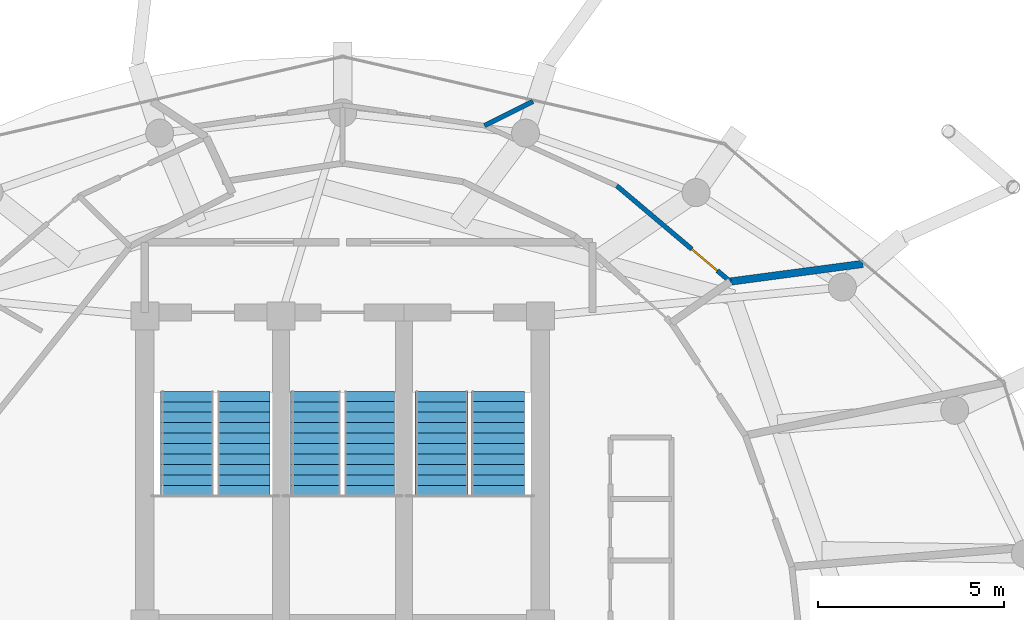
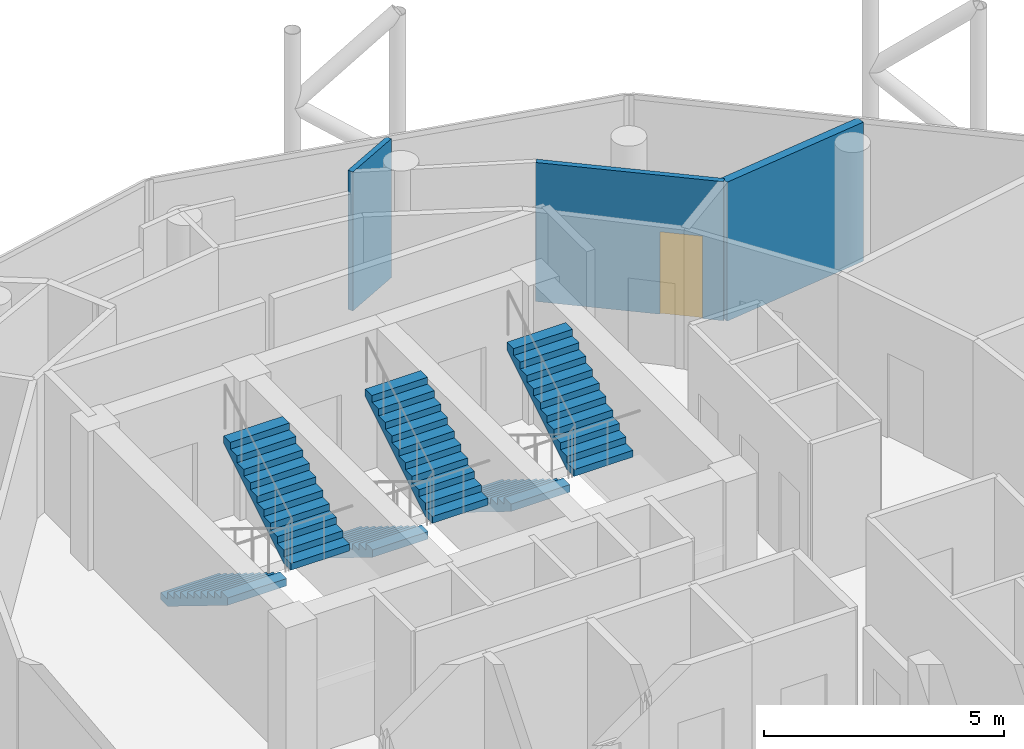
# One storey, part 24 of 25: 6 stair flights, 3 walls, 1 door, 1 opening, 3 elements without a shape of their own.
"""IFC4 building model written with IfcOpenShell, lengths in metres."""

from ifc_helpers import new_model, si_unit, direction, frame, frame_2d, origin, place, context, subcontext, project, spatial, polyline, rectangle, outline, extrude, material, layer, layer_set, type_object, element, fill, aggregate, save


model = new_model("IFC4")

# Units and contexts
model_context = context("Model", 3, precision=1e-05, world=origin(), true_north=direction((0.0, 1.0)))
body_context = subcontext(model_context, "Body", "Model", "MODEL_VIEW")
ifc_project = project(units=[si_unit("LENGTHUNIT", "METRE"), si_unit("AREAUNIT", "SQUARE_METRE"), si_unit("VOLUMEUNIT", "CUBIC_METRE"), si_unit("PLANEANGLEUNIT", "RADIAN"), si_unit("MASSUNIT", "GRAM", prefix="KILO")], contexts=[model_context])

# Site, building, storey
site_placement = place(None, origin())
site = spatial("IfcSite", under=ifc_project, at=site_placement, CompositionType="ELEMENT")
building_placement = place(site_placement, origin())
building = spatial("IfcBuilding", under=site, at=building_placement, Name="Nuhasar Tower", CompositionType="ELEMENT")
storey_placement = place(building_placement, frame((0.0, 0.0, 255.60009765625)))
storey = spatial("IfcBuildingStorey", under=building, at=storey_placement, Name="L63", CompositionType="ELEMENT", Elevation=255.60009765625)

# Wall, opening, door
ifc_material_1 = material(Name="Gypsum Board", Category="gypsum")
ifc_layer_1 = layer(ifc_material_1, 0.125)
ifc_layer_set_1 = layer_set([ifc_layer_1], Name="Gypsum Board")
wall_type_1 = type_object("IfcWallType", Name="WL-PART-125", PredefinedType="PARTITIONING", material=ifc_layer_set_1)
wall_1_placement = place(storey_placement, frame((46.35009765625, 40.794921875, 0.0), z_axis=(0.0, 0.0, 1.0), x_axis=(0.764348134159, -0.644803791713, 0.0)))
wall_1 = element("IfcWall", 1, at=wall_1_placement, inside=storey, type_object=wall_type_1, Name="L63 Interior Partition UMID-04-A-06", PredefinedType="PARTITIONING", context=body_context, shape_type="SweptSolid", body=[
    extrude(rectangle(XDim=3.982421875, YDim=0.125, at=frame_2d((1.9912109375, 0.0))), origin(), (0.0, 0.0, 1.0), 3.539794921875),
])
opening_placement = place(wall_1_placement, frame((2.6298828125, 0.0, 0.0)))
opening = element("IfcOpeningElement", 2, at=opening_placement, cuts=wall_1, Name="Opening DR-01", PredefinedType="OPENING", context=body_context, shape_type="SweptSolid", body=[
    extrude(rectangle(XDim=0.89990234375, YDim=2.10009765625, at=frame_2d((0.449951171875, 1.050048828125))), frame((0.0, 0.072509765625, 0.0), z_axis=(0.0, -1.0, 0.0), x_axis=(1.0, 0.0, 0.0)), (0.0, 0.0, 1.0), 0.14501953125),
])
ifc_material_2 = material(Name="Timber Oak", Category="wood")
door_type = type_object("IfcDoorType", Name="DR-ROOM-900", OperationType="NOTDEFINED", PredefinedType="DOOR", material=ifc_material_2)
door_placement = place(opening_placement, origin())
door = element("IfcDoor", 3, at=door_placement, inside=storey, type_object=door_type, Name="L63 U04 Living Door", OperationType="SINGLE_SWING_RIGHT", OverallHeight=2.10009765625, OverallWidth=0.89990234375, PredefinedType="DOOR", context=body_context, shape_type="SweptSolid", body=[
    extrude(rectangle(XDim=0.89990234375, YDim=2.10009765625, at=frame_2d((0.449951171875, 1.050048828125))), frame((0.0, 0.02490234375, 0.0), z_axis=(0.0, -1.0, 0.0), x_axis=(1.0, 0.0, 0.0)), (0.0, 0.0, 1.0), 0.050048828125),
])
fill(opening, door)

# Walls
wall_2_placement = place(storey_placement, frame((42.804931640625, 42.408935546875, 0.0), z_axis=(0.0, 0.0, 1.0), x_axis=(0.894796289478, 0.446474635714, 0.0)))
element("IfcWall", 4, at=wall_2_placement, inside=storey, type_object=wall_type_1, Name="L63 Interior Partition UOUT-04-B1", PredefinedType="PARTITIONING", context=body_context, shape_type="SweptSolid", body=[
    extrude(rectangle(XDim=1.4541015625, YDim=0.125, at=frame_2d((0.72705078125, 0.0))), origin(), (0.0, 0.0, 1.0), 3.539794921875),
])
ifc_material_3 = material(Name="Concrete C40/50 precast", Category="concrete")
ifc_layer_2 = layer(ifc_material_3, 0.199951171875)
ifc_layer_set_2 = layer_set([ifc_layer_2], Name="Concrete C40/50 precast")
wall_type_2 = type_object("IfcWallType", Name="WL-UNIT-200", PredefinedType="PARTITIONING", material=ifc_layer_set_2)
wall_3_placement = place(storey_placement, frame((49.39404296875, 38.22705078125, 0.0), z_axis=(0.0, 0.0, 1.0), x_axis=(0.991241562349, 0.13206121714, 0.0)))
element("IfcWall", 5, at=wall_3_placement, inside=storey, type_object=wall_type_2, Name="L63 Interior Partition URAD-06-S2", PredefinedType="PARTITIONING", context=body_context, shape_type="SweptSolid", body=[
    extrude(rectangle(XDim=3.58837890625, YDim=0.199951171875, at=frame_2d((1.794189453125, 0.0))), origin(), (0.0, 0.0, 1.0), 3.539794921875),
])

# Stair, stair flights
ifc_material_4 = material(Name="Concrete C45/55", Category="concrete")
stair_type_1 = type_object("IfcStairType", Name="STR-ST-01-2F-22R-1727", PredefinedType="HALF_TURN_STAIR", material=ifc_material_4)
stair_1_placement = place(storey_placement, origin())
stair_1 = element("IfcStair", 6, at=stair_1_placement, inside=storey, type_object=stair_type_1, Name="L63 Exit Stair ST-01", PredefinedType="HALF_TURN_STAIR")
stair_flight_type_1 = type_object("IfcStairFlightType", Name="SFL-ST-01-11R-1727", PredefinedType="STRAIGHT", material=ifc_material_4)
stair_flight_1_placement = place(storey_placement, frame((34.830078125, 35.284912109375, 0.0), z_axis=(0.0, 0.0, 1.0), x_axis=(0.0, -1.0, 0.0)))
stair_flight_1 = element("IfcStairFlight", 7, at=stair_flight_1_placement, type_object=stair_flight_type_1, Name="ST-01 flight 1", NumberOfRisers=11, NumberOfTreads=10, PredefinedType="STRAIGHT", RiserHeight=0.172727, TreadLength=0.28, context=body_context, shape_type="SweptSolid", body=[
    extrude(outline(polyline([(0.0, 0.0), (0.0, 0.172607421875), (0.280029296875, 0.172607421875), (0.280029296875, 0.345458984375), (0.56005859375, 0.345458984375), (0.56005859375, 0.51806640625), (0.840087890625, 0.51806640625), (0.840087890625, 0.69091796875), (1.1201171875, 0.69091796875), (1.1201171875, 0.863525390625), (1.39990234375, 0.863525390625), (1.39990234375, 1.036376953125), (1.679931640625, 1.036376953125), (1.679931640625, 1.208984375), (1.9599609375, 1.208984375), (1.9599609375, 1.3818359375), (2.239990234375, 1.3818359375), (2.239990234375, 1.554443359375), (2.52001953125, 1.554443359375), (2.52001953125, 1.727294921875), (2.800048828125, 1.727294921875), (2.800048828125, 1.89990234375), (2.800048828125, 1.539306640625), (0.3046875, 0.0), (0.0, 0.0)])), frame((0.0, 0.7099609375, 0.0), z_axis=(0.0, -1.0, 0.0), x_axis=(1.0, 0.0, 0.0)), (0.0, 0.0, 1.0), 1.419921875),
])
stair_flight_2_placement = place(storey_placement, frame((36.35009765625, 32.485107421875, 1.89990234375), z_axis=(0.0, 0.0, 1.0), x_axis=(0.0, 1.0, 0.0)))
stair_flight_2 = element("IfcStairFlight", 8, at=stair_flight_2_placement, type_object=stair_flight_type_1, Name="ST-01 flight 2", NumberOfRisers=11, NumberOfTreads=10, PredefinedType="STRAIGHT", RiserHeight=0.172727, TreadLength=0.28, context=body_context, shape_type="SweptSolid", body=[
    extrude(outline(polyline([(0.0, 0.0), (0.0, 0.172607421875), (0.280029296875, 0.172607421875), (0.280029296875, 0.345458984375), (0.56005859375, 0.345458984375), (0.56005859375, 0.51806640625), (0.840087890625, 0.51806640625), (0.840087890625, 0.69091796875), (1.1201171875, 0.69091796875), (1.1201171875, 0.863525390625), (1.39990234375, 0.863525390625), (1.39990234375, 1.036376953125), (1.679931640625, 1.036376953125), (1.679931640625, 1.208984375), (1.9599609375, 1.208984375), (1.9599609375, 1.3818359375), (2.239990234375, 1.3818359375), (2.239990234375, 1.554443359375), (2.52001953125, 1.554443359375), (2.52001953125, 1.727294921875), (2.800048828125, 1.727294921875), (2.800048828125, 1.89990234375), (2.800048828125, 1.539306640625), (0.3046875, 0.0), (0.0, 0.0)])), frame((0.0, 0.7099609375, 0.0), z_axis=(0.0, -1.0, 0.0), x_axis=(1.0, 0.0, 0.0)), (0.0, 0.0, 1.0), 1.419921875),
])
aggregate(stair_1, [stair_flight_1, stair_flight_2])

stair_type_2 = type_object("IfcStairType", Name="STR-ST-02-2F-22R-1727", PredefinedType="HALF_TURN_STAIR", material=ifc_material_4)
stair_2_placement = place(storey_placement, origin())
stair_2 = element("IfcStair", 9, at=stair_2_placement, inside=storey, type_object=stair_type_2, Name="L63 Exit Stair ST-02", PredefinedType="HALF_TURN_STAIR")
stair_flight_type_2 = type_object("IfcStairFlightType", Name="SFL-ST-02-11R-1727", PredefinedType="STRAIGHT", material=ifc_material_4)
stair_flight_3_placement = place(storey_placement, frame((41.64990234375, 35.284912109375, 0.0), z_axis=(0.0, 0.0, 1.0), x_axis=(0.0, -1.0, 0.0)))
stair_flight_3 = element("IfcStairFlight", 10, at=stair_flight_3_placement, type_object=stair_flight_type_2, Name="ST-02 flight 1", NumberOfRisers=11, NumberOfTreads=10, PredefinedType="STRAIGHT", RiserHeight=0.172727, TreadLength=0.28, context=body_context, shape_type="SweptSolid", body=[
    extrude(outline(polyline([(0.0, 0.0), (0.0, 0.172607421875), (0.280029296875, 0.172607421875), (0.280029296875, 0.345458984375), (0.56005859375, 0.345458984375), (0.56005859375, 0.51806640625), (0.840087890625, 0.51806640625), (0.840087890625, 0.69091796875), (1.1201171875, 0.69091796875), (1.1201171875, 0.863525390625), (1.39990234375, 0.863525390625), (1.39990234375, 1.036376953125), (1.679931640625, 1.036376953125), (1.679931640625, 1.208984375), (1.9599609375, 1.208984375), (1.9599609375, 1.3818359375), (2.239990234375, 1.3818359375), (2.239990234375, 1.554443359375), (2.52001953125, 1.554443359375), (2.52001953125, 1.727294921875), (2.800048828125, 1.727294921875), (2.800048828125, 1.89990234375), (2.800048828125, 1.539306640625), (0.3046875, 0.0), (0.0, 0.0)])), frame((0.0, 0.7099609375, 0.0), z_axis=(0.0, -1.0, 0.0), x_axis=(1.0, 0.0, 0.0)), (0.0, 0.0, 1.0), 1.419921875),
])
stair_flight_4_placement = place(storey_placement, frame((43.169921875, 32.485107421875, 1.89990234375), z_axis=(0.0, 0.0, 1.0), x_axis=(0.0, 1.0, 0.0)))
stair_flight_4 = element("IfcStairFlight", 11, at=stair_flight_4_placement, type_object=stair_flight_type_2, Name="ST-02 flight 2", NumberOfRisers=11, NumberOfTreads=10, PredefinedType="STRAIGHT", RiserHeight=0.172727, TreadLength=0.28, context=body_context, shape_type="SweptSolid", body=[
    extrude(outline(polyline([(0.0, 0.0), (0.0, 0.172607421875), (0.280029296875, 0.172607421875), (0.280029296875, 0.345458984375), (0.56005859375, 0.345458984375), (0.56005859375, 0.51806640625), (0.840087890625, 0.51806640625), (0.840087890625, 0.69091796875), (1.1201171875, 0.69091796875), (1.1201171875, 0.863525390625), (1.39990234375, 0.863525390625), (1.39990234375, 1.036376953125), (1.679931640625, 1.036376953125), (1.679931640625, 1.208984375), (1.9599609375, 1.208984375), (1.9599609375, 1.3818359375), (2.239990234375, 1.3818359375), (2.239990234375, 1.554443359375), (2.52001953125, 1.554443359375), (2.52001953125, 1.727294921875), (2.800048828125, 1.727294921875), (2.800048828125, 1.89990234375), (2.800048828125, 1.539306640625), (0.3046875, 0.0), (0.0, 0.0)])), frame((0.0, 0.7099609375, 0.0), z_axis=(0.0, -1.0, 0.0), x_axis=(1.0, 0.0, 0.0)), (0.0, 0.0, 1.0), 1.419921875),
])
aggregate(stair_2, [stair_flight_3, stair_flight_4])

stair_type_3 = type_object("IfcStairType", Name="STR-ST-03-2F-22R-1727", PredefinedType="HALF_TURN_STAIR", material=ifc_material_4)
stair_3_placement = place(storey_placement, origin())
stair_3 = element("IfcStair", 12, at=stair_3_placement, inside=storey, type_object=stair_type_3, Name="L63 Exit Stair ST-03", PredefinedType="HALF_TURN_STAIR")
stair_flight_type_3 = type_object("IfcStairFlightType", Name="SFL-ST-03-11R-1727", PredefinedType="STRAIGHT", material=ifc_material_4)
stair_flight_5_placement = place(storey_placement, frame((38.280029296875, 35.284912109375, 0.0), z_axis=(0.0, 0.0, 1.0), x_axis=(0.0, -1.0, 0.0)))
stair_flight_5 = element("IfcStairFlight", 13, at=stair_flight_5_placement, type_object=stair_flight_type_3, Name="ST-03 flight 1", NumberOfRisers=11, NumberOfTreads=10, PredefinedType="STRAIGHT", RiserHeight=0.172727, TreadLength=0.28, context=body_context, shape_type="SweptSolid", body=[
    extrude(outline(polyline([(0.0, 0.0), (0.0, 0.172607421875), (0.280029296875, 0.172607421875), (0.280029296875, 0.345458984375), (0.56005859375, 0.345458984375), (0.56005859375, 0.51806640625), (0.840087890625, 0.51806640625), (0.840087890625, 0.69091796875), (1.1201171875, 0.69091796875), (1.1201171875, 0.863525390625), (1.39990234375, 0.863525390625), (1.39990234375, 1.036376953125), (1.679931640625, 1.036376953125), (1.679931640625, 1.208984375), (1.9599609375, 1.208984375), (1.9599609375, 1.3818359375), (2.239990234375, 1.3818359375), (2.239990234375, 1.554443359375), (2.52001953125, 1.554443359375), (2.52001953125, 1.727294921875), (2.800048828125, 1.727294921875), (2.800048828125, 1.89990234375), (2.800048828125, 1.539306640625), (0.3046875, 0.0), (0.0, 0.0)])), frame((0.0, 0.669921875, 0.0), z_axis=(0.0, -1.0, 0.0), x_axis=(1.0, 0.0, 0.0)), (0.0, 0.0, 1.0), 1.340087890625),
])
stair_flight_6_placement = place(storey_placement, frame((39.719970703125, 32.485107421875, 1.89990234375), z_axis=(0.0, 0.0, 1.0), x_axis=(0.0, 1.0, 0.0)))
stair_flight_6 = element("IfcStairFlight", 14, at=stair_flight_6_placement, type_object=stair_flight_type_3, Name="ST-03 flight 2", NumberOfRisers=11, NumberOfTreads=10, PredefinedType="STRAIGHT", RiserHeight=0.172727, TreadLength=0.28, context=body_context, shape_type="SweptSolid", body=[
    extrude(outline(polyline([(0.0, 0.0), (0.0, 0.172607421875), (0.280029296875, 0.172607421875), (0.280029296875, 0.345458984375), (0.56005859375, 0.345458984375), (0.56005859375, 0.51806640625), (0.840087890625, 0.51806640625), (0.840087890625, 0.69091796875), (1.1201171875, 0.69091796875), (1.1201171875, 0.863525390625), (1.39990234375, 0.863525390625), (1.39990234375, 1.036376953125), (1.679931640625, 1.036376953125), (1.679931640625, 1.208984375), (1.9599609375, 1.208984375), (1.9599609375, 1.3818359375), (2.239990234375, 1.3818359375), (2.239990234375, 1.554443359375), (2.52001953125, 1.554443359375), (2.52001953125, 1.727294921875), (2.800048828125, 1.727294921875), (2.800048828125, 1.89990234375), (2.800048828125, 1.539306640625), (0.3046875, 0.0), (0.0, 0.0)])), frame((0.0, 0.669921875, 0.0), z_axis=(0.0, -1.0, 0.0), x_axis=(1.0, 0.0, 0.0)), (0.0, 0.0, 1.0), 1.340087890625),
])
aggregate(stair_3, [stair_flight_5, stair_flight_6])

save(model, "model.ifc")
